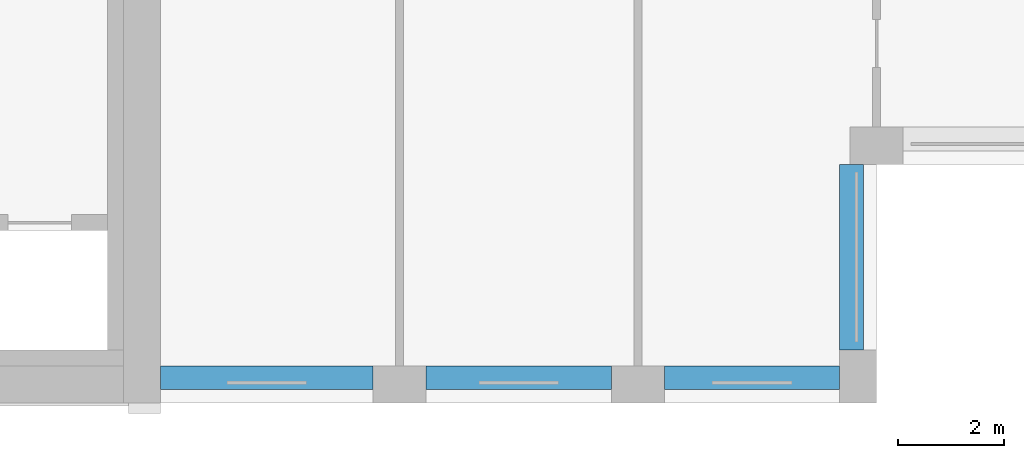
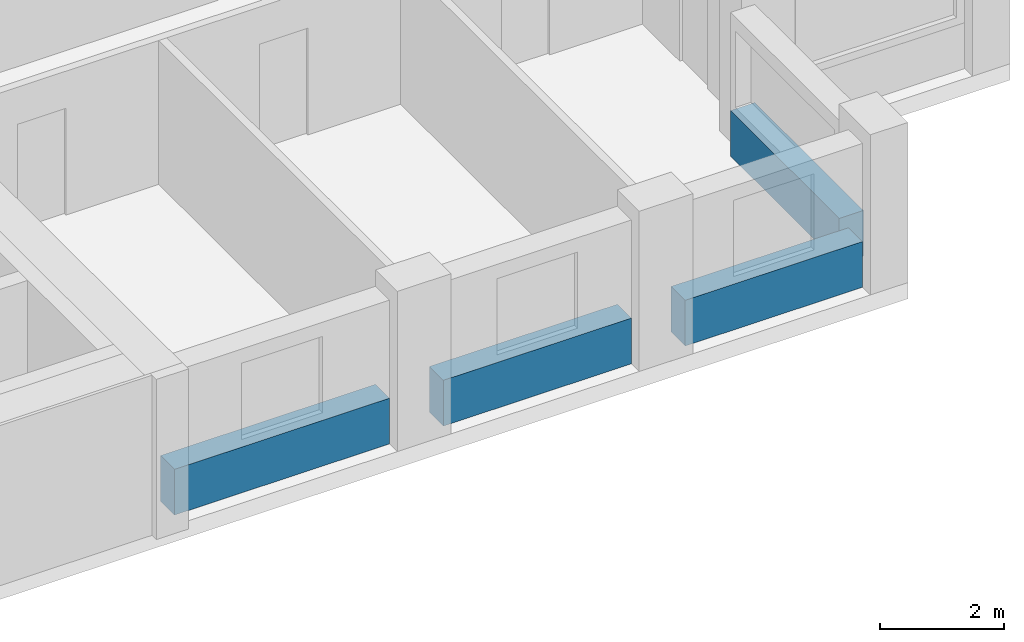
# One storey, part 3 of 16: 4 beams.
"""IFC4 building model written with IfcOpenShell, lengths in metres."""

import ifcopenshell
import ifcopenshell.guid

model = None  # the IFC model being written
_history = None  # IfcOwnerHistory: only IFC2X3 demands one
_inside = {}  # id of a spatial element -> (the spatial element, [elements in it])
_under = {}  # id of a project, library or spatial element -> (it, [spatial elements below it])
_declared = {}  # id of a project -> (the project, [libraries it declares])
_typed = {}  # id of a type object -> (the type object, [elements of that type])
_made_of = {}  # id of a material, layer set ... -> (it, [elements and type objects made of it])


def new_model(schema):
    """Start an empty IFC model of exactly this schema.

    Asked for "IFC4X3", IfcOpenShell would pick the latest addendum, in which some entities
    have other attributes; the version numbers below select the first issue.
    IFC2X3 requires an IfcOwnerHistory on every rooted entity: one is made here for all.
    """
    global model, _history
    if schema == "IFC4X3":
        model = ifcopenshell.file(schema_version=(4, 3, 0, 0))
    else:
        model = ifcopenshell.file(schema=schema)
    _inside.clear()
    _under.clear()
    _declared.clear()
    _typed.clear()
    _made_of.clear()
    _history = None
    if model.schema == "IFC2X3":
        org = make("IfcOrganization", Name="unknown")
        user = make(
            "IfcPersonAndOrganization",
            ThePerson=make("IfcPerson", FamilyName="unknown"),
            TheOrganization=org,
        )
        app = make(
            "IfcApplication",
            ApplicationDeveloper=org,
            Version="unknown",
            ApplicationFullName="unknown",
            ApplicationIdentifier="unknown",
        )
        _history = make(
            "IfcOwnerHistory",
            OwningUser=user,
            OwningApplication=app,
            ChangeAction="ADDED",
            CreationDate=0,
        )
    return model


def make(cls, **values):
    """One entity of the class cls with the attributes given. An attribute that is None is left unset."""
    return model.create_entity(
        cls, **{name: value for name, value in values.items() if value is not None}
    )


def rooted(cls, **values):
    """An entity with a GlobalId (a new one), such as an element, a storey or a relation."""
    return make(cls, GlobalId=ifcopenshell.guid.new(), OwnerHistory=_history, **values)


def si_unit(unit_type, name, prefix=None):
    """IfcSIUnit, for example si_unit("LENGTHUNIT", "METRE", prefix="MILLI")."""
    return make("IfcSIUnit", UnitType=unit_type, Prefix=prefix, Name=name)


def assignment(units):
    """IfcUnitAssignment: the units of a project."""
    return None if units is None else make("IfcUnitAssignment", Units=units)


def point(xyz):
    """IfcCartesianPoint."""
    return None if xyz is None else make("IfcCartesianPoint", Coordinates=xyz)


def direction(xyz):
    """IfcDirection."""
    return None if xyz is None else make("IfcDirection", DirectionRatios=xyz)


def frame(location, z_axis=None, x_axis=None):
    """IfcAxis2Placement3D, a coordinate frame: its origin and axes. An axis left out is left unset."""
    return make(
        "IfcAxis2Placement3D",
        Location=point(location),
        Axis=direction(z_axis),
        RefDirection=direction(x_axis),
    )


def frame_2d(location, x_axis=None):
    """IfcAxis2Placement2D, a coordinate frame in the plane: its origin and x axis."""
    return make(
        "IfcAxis2Placement2D", Location=point(location), RefDirection=direction(x_axis)
    )


def origin():
    """The frame at (0, 0, 0) with its axes left unset."""
    return frame((0.0, 0.0, 0.0))


def origin_2d():
    """The frame at (0, 0) in the plane with its x axis left unset."""
    return frame_2d((0.0, 0.0))


def place(relative_to, where):
    """IfcLocalPlacement: puts the frame where relative to a parent placement (None: the world)."""
    return make(
        "IfcLocalPlacement", PlacementRelTo=relative_to, RelativePlacement=where
    )


def context(
    kind, dimensions, precision=None, world=None, true_north=None, identifier=None
):
    """IfcGeometricRepresentationContext, for example the 3D "Model" context."""
    return make(
        "IfcGeometricRepresentationContext",
        ContextIdentifier=identifier,
        ContextType=kind,
        CoordinateSpaceDimension=dimensions,
        Precision=precision,
        WorldCoordinateSystem=world,
        TrueNorth=true_north,
    )


def subcontext(parent, identifier, kind, view, scale=None):
    """IfcGeometricRepresentationSubContext, for example "Body" below "Model"."""
    return make(
        "IfcGeometricRepresentationSubContext",
        ContextIdentifier=identifier,
        ContextType=kind,
        ParentContext=parent,
        TargetScale=scale,
        TargetView=view,
    )


def project(units=None, contexts=None):
    """IfcProject with its units and contexts."""
    return rooted(
        "IfcProject",
        Name="project",
        RepresentationContexts=contexts,
        UnitsInContext=assignment(units),
    )


def spatial(cls, under=None, at=None, **own):
    """A site, building, storey or space (cls), placed at a placement, below another one or the project."""
    s = rooted(cls, ObjectPlacement=at, **own)
    if under is not None:
        _under.setdefault(under.id(), (under, []))[1].append(s)
    return s


def profile(cls, at=None, kind="AREA", **sizes):
    """A parametric profile (cls). Its sizes go by their IFC names, for example OverallWidth=200.0."""
    return make(cls, ProfileType=kind, Position=at, **sizes)


def rectangle(**sizes):
    """IfcRectangleProfileDef."""
    return profile("IfcRectangleProfileDef", **sizes)


def extrude(swept, where, along, depth):
    """IfcExtrudedAreaSolid: the profile swept, set in the frame where, extruded along a direction by depth."""
    return make(
        "IfcExtrudedAreaSolid",
        SweptArea=swept,
        Position=where,
        ExtrudedDirection=direction(along),
        Depth=depth,
    )


def shape(context_of_items, identifier, shape_type, items):
    """IfcShapeRepresentation: the items that make up one representation, for example the "Body"."""
    return make(
        "IfcShapeRepresentation",
        ContextOfItems=context_of_items,
        RepresentationIdentifier=identifier,
        RepresentationType=shape_type,
        Items=items,
    )


def material(Name=None, Category=None):
    """IfcMaterial."""
    return make("IfcMaterial", Name=Name, Category=Category)


def material_profile(
    of_material, cross_section, Name=None, Category=None, Priority=None
):
    """IfcMaterialProfile: a cross section and its material."""
    return make(
        "IfcMaterialProfile",
        Name=Name,
        Material=of_material,
        Profile=cross_section,
        Priority=Priority,
        Category=Category,
    )


def profile_set(profiles, Name=None, composite=None):
    """IfcMaterialProfileSet."""
    return make(
        "IfcMaterialProfileSet",
        Name=Name,
        MaterialProfiles=profiles,
        CompositeProfile=composite,
    )


def made_of(thing, what):
    """Note that an element or type object is made of a material, layer set ...; save() writes the relation."""
    if what is not None:
        _made_of.setdefault(what.id(), (what, []))[1].append(thing)
    return thing


def type_object(cls, material=None, **own):
    """A type object (cls), such as IfcWallType, which elements share."""
    return made_of(rooted(cls, **own), material)


def element(
    cls,
    number,
    at=None,
    inside=None,
    cuts=None,
    type_object=None,
    material=None,
    context=None,
    identifier="Body",
    shape_type=None,
    held_by="IfcProductDefinitionShape",
    body=None,
    shapes=None,
    **own,
):
    """One element of the class cls, such as IfcWall. Its Tag is "e" and its number.

    at: its placement. inside: the storey or other place that contains it. cuts: it is an
    opening in that element (IfcRelVoidsElement). A single representation is given by context,
    identifier, shape_type and body (its items); several are given by shapes. held_by: the class
    of the entity that holds the representations. save() writes the other relations.
    """
    e = rooted(cls, Tag="e%d" % number, ObjectPlacement=at, **own)
    if body is not None:
        shapes = [shape(context, identifier, shape_type, body)]
    if shapes is not None:
        e.Representation = make(held_by, Representations=shapes)
    if inside is not None:
        _inside.setdefault(inside.id(), (inside, []))[1].append(e)
    if cuts is not None:
        rooted(
            "IfcRelVoidsElement", RelatingBuildingElement=cuts, RelatedOpeningElement=e
        )
    if type_object is not None:
        _typed.setdefault(type_object.id(), (type_object, []))[1].append(e)
    return made_of(e, material)


def aggregate(whole, parts):
    """IfcRelAggregates: a whole, such as a stair, and the parts it consists of."""
    return rooted("IfcRelAggregates", RelatingObject=whole, RelatedObjects=parts)


def save(model, path):
    """Write the relations noted so far, then the file.

    IfcRelAggregates (storeys below a building ...), IfcRelContainedInSpatialStructure (elements
    in a storey), IfcRelDefinesByType, IfcRelAssociatesMaterial and IfcRelDeclares: one each for
    every whole, place, type object, material and project.
    """
    for whole, parts in _under.values():
        aggregate(whole, parts)
    for where, things in _inside.values():
        rooted(
            "IfcRelContainedInSpatialStructure",
            RelatedElements=things,
            RelatingStructure=where,
        )
    for kind, things in _typed.values():
        rooted("IfcRelDefinesByType", RelatedObjects=things, RelatingType=kind)
    for what, things in _made_of.values():
        rooted("IfcRelAssociatesMaterial", RelatedObjects=things, RelatingMaterial=what)
    for by, libraries in _declared.values():
        rooted("IfcRelDeclares", RelatingContext=by, RelatedDefinitions=libraries)
    model.write(path)


model = new_model("IFC4")

# Units and contexts
model_context = context("Model", 3, precision=1e-05, world=origin(), true_north=direction((0.0, 1.0)))
body_context = subcontext(model_context, "Body", "Model", "MODEL_VIEW")
ifc_project = project(units=[si_unit("LENGTHUNIT", "METRE"), si_unit("AREAUNIT", "SQUARE_METRE"), si_unit("VOLUMEUNIT", "CUBIC_METRE"), si_unit("PLANEANGLEUNIT", "RADIAN"), si_unit("MASSUNIT", "GRAM", prefix="KILO")], contexts=[model_context])

# Site, building, storey
site_placement = place(None, origin())
site = spatial("IfcSite", under=ifc_project, at=site_placement, CompositionType="ELEMENT")
building_placement = place(site_placement, origin())
building = spatial("IfcBuilding", under=site, at=building_placement, Name="Brigalow Station Residences", CompositionType="ELEMENT")
storey_placement = place(building_placement, frame((0.0, 0.0, 179.10009765625)))
storey = spatial("IfcBuildingStorey", under=building, at=storey_placement, Name="L52", CompositionType="ELEMENT", Elevation=179.10009765625)

# Beams
ifc_material = material(Name="Concrete C50", Category="concrete")
ifc_material_profile = material_profile(ifc_material, rectangle(XDim=0.449951171875, YDim=0.89990234375, at=origin_2d()), Name="RC450x900")
ifc_profile_set = profile_set([ifc_material_profile], Name="Concrete C50")
beam_type = type_object("IfcBeamType", Name="SPANDREL BEAM 450x900 C50", PredefinedType="SPANDREL", material=ifc_profile_set)
beam_1_placement = place(storey_placement, frame((54.0, 0.47509765625, 0.449951171875), z_axis=(1.0, 0.0, 0.0), x_axis=(0.0, 1.0, 0.0)))
element("IfcBeam", 1, at=beam_1_placement, inside=storey, type_object=beam_type, Name="L52/spandrel/W-L52-4", PredefinedType="SPANDREL", context=body_context, shape_type="SweptSolid", body=[
    extrude(rectangle(XDim=0.449951171875, YDim=0.89990234375, at=origin_2d()), origin(), (0.0, 0.0, 1.0), 4.0),
])
beam_2_placement = place(storey_placement, frame((59.0, 0.47509765625, 0.449951171875), z_axis=(1.0, 0.0, 0.0), x_axis=(0.0, 1.0, 0.0)))
element("IfcBeam", 2, at=beam_2_placement, inside=storey, type_object=beam_type, Name="L52/spandrel/W-L52-5", PredefinedType="SPANDREL", context=body_context, shape_type="SweptSolid", body=[
    extrude(rectangle(XDim=0.449951171875, YDim=0.89990234375, at=origin_2d()), origin(), (0.0, 0.0, 1.0), 3.5),
])
beam_3_placement = place(storey_placement, frame((63.5, 0.47509765625, 0.449951171875), z_axis=(1.0, 0.0, 0.0), x_axis=(0.0, 1.0, 0.0)))
element("IfcBeam", 3, at=beam_3_placement, inside=storey, type_object=beam_type, Name="L52/spandrel/W-L52-6", PredefinedType="SPANDREL", context=body_context, shape_type="SweptSolid", body=[
    extrude(rectangle(XDim=0.449951171875, YDim=0.89990234375, at=origin_2d()), origin(), (0.0, 0.0, 1.0), 3.300048828125),
])
beam_4_placement = place(storey_placement, frame((67.02490234375, 1.0, 0.449951171875), z_axis=(0.0, 1.0, 0.0), x_axis=(-1.0, 0.0, 0.0)))
element("IfcBeam", 4, at=beam_4_placement, inside=storey, type_object=beam_type, Name="L52/spandrel/W-L52-7", PredefinedType="SPANDREL", context=body_context, shape_type="SweptSolid", body=[
    extrude(rectangle(XDim=0.449951171875, YDim=0.89990234375, at=origin_2d()), origin(), (0.0, 0.0, 1.0), 3.5),
])

save(model, "model.ifc")
